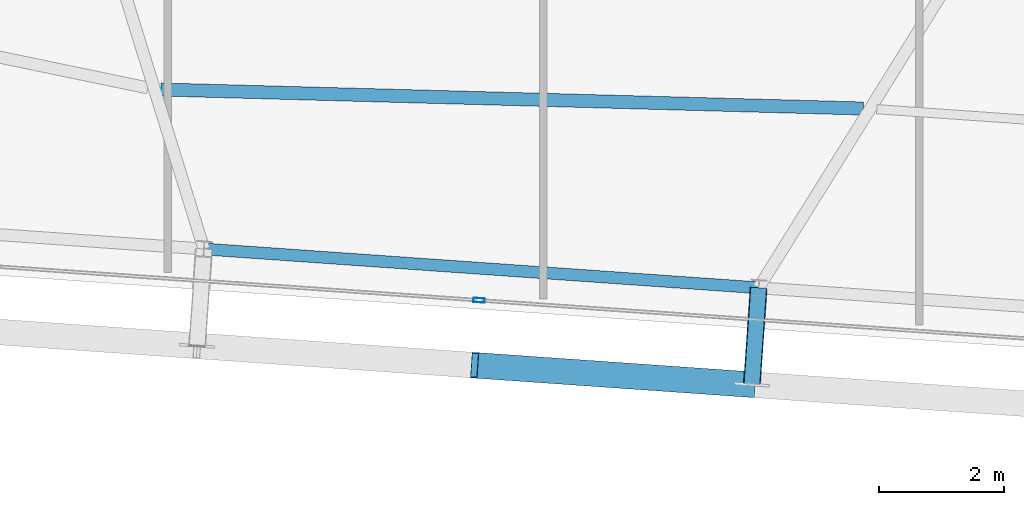
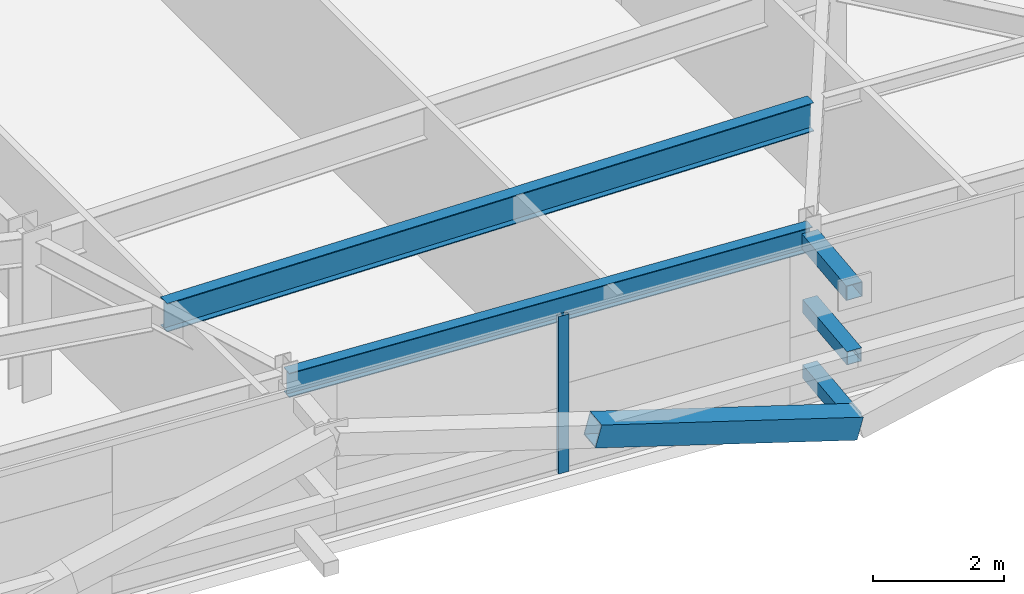
# One storey, part 9 of 39: 5 members, 2 beams, 1 element without a shape of its own.
"""IFC4 building model written with IfcOpenShell, lengths in metres."""

import ifcopenshell
import ifcopenshell.guid

model = None  # the IFC model being written
_history = None  # IfcOwnerHistory: only IFC2X3 demands one
_inside = {}  # id of a spatial element -> (the spatial element, [elements in it])
_under = {}  # id of a project, library or spatial element -> (it, [spatial elements below it])
_declared = {}  # id of a project -> (the project, [libraries it declares])
_typed = {}  # id of a type object -> (the type object, [elements of that type])
_made_of = {}  # id of a material, layer set ... -> (it, [elements and type objects made of it])


def new_model(schema):
    """Start an empty IFC model of exactly this schema.

    Asked for "IFC4X3", IfcOpenShell would pick the latest addendum, in which some entities
    have other attributes; the version numbers below select the first issue.
    IFC2X3 requires an IfcOwnerHistory on every rooted entity: one is made here for all.
    """
    global model, _history
    if schema == "IFC4X3":
        model = ifcopenshell.file(schema_version=(4, 3, 0, 0))
    else:
        model = ifcopenshell.file(schema=schema)
    _inside.clear()
    _under.clear()
    _declared.clear()
    _typed.clear()
    _made_of.clear()
    _history = None
    if model.schema == "IFC2X3":
        org = make("IfcOrganization", Name="unknown")
        user = make(
            "IfcPersonAndOrganization",
            ThePerson=make("IfcPerson", FamilyName="unknown"),
            TheOrganization=org,
        )
        app = make(
            "IfcApplication",
            ApplicationDeveloper=org,
            Version="unknown",
            ApplicationFullName="unknown",
            ApplicationIdentifier="unknown",
        )
        _history = make(
            "IfcOwnerHistory",
            OwningUser=user,
            OwningApplication=app,
            ChangeAction="ADDED",
            CreationDate=0,
        )
    return model


def make(cls, **values):
    """One entity of the class cls with the attributes given. An attribute that is None is left unset."""
    return model.create_entity(
        cls, **{name: value for name, value in values.items() if value is not None}
    )


def rooted(cls, **values):
    """An entity with a GlobalId (a new one), such as an element, a storey or a relation."""
    return make(cls, GlobalId=ifcopenshell.guid.new(), OwnerHistory=_history, **values)


def si_unit(unit_type, name, prefix=None):
    """IfcSIUnit, for example si_unit("LENGTHUNIT", "METRE", prefix="MILLI")."""
    return make("IfcSIUnit", UnitType=unit_type, Prefix=prefix, Name=name)


def assignment(units):
    """IfcUnitAssignment: the units of a project."""
    return None if units is None else make("IfcUnitAssignment", Units=units)


def point(xyz):
    """IfcCartesianPoint."""
    return None if xyz is None else make("IfcCartesianPoint", Coordinates=xyz)


def direction(xyz):
    """IfcDirection."""
    return None if xyz is None else make("IfcDirection", DirectionRatios=xyz)


def frame(location, z_axis=None, x_axis=None):
    """IfcAxis2Placement3D, a coordinate frame: its origin and axes. An axis left out is left unset."""
    return make(
        "IfcAxis2Placement3D",
        Location=point(location),
        Axis=direction(z_axis),
        RefDirection=direction(x_axis),
    )


def frame_2d(location, x_axis=None):
    """IfcAxis2Placement2D, a coordinate frame in the plane: its origin and x axis."""
    return make(
        "IfcAxis2Placement2D", Location=point(location), RefDirection=direction(x_axis)
    )


def origin():
    """The frame at (0, 0, 0) with its axes left unset."""
    return frame((0.0, 0.0, 0.0))


def origin_2d():
    """The frame at (0, 0) in the plane with its x axis left unset."""
    return frame_2d((0.0, 0.0))


def place(relative_to, where):
    """IfcLocalPlacement: puts the frame where relative to a parent placement (None: the world)."""
    return make(
        "IfcLocalPlacement", PlacementRelTo=relative_to, RelativePlacement=where
    )


def context(
    kind, dimensions, precision=None, world=None, true_north=None, identifier=None
):
    """IfcGeometricRepresentationContext, for example the 3D "Model" context."""
    return make(
        "IfcGeometricRepresentationContext",
        ContextIdentifier=identifier,
        ContextType=kind,
        CoordinateSpaceDimension=dimensions,
        Precision=precision,
        WorldCoordinateSystem=world,
        TrueNorth=true_north,
    )


def subcontext(parent, identifier, kind, view, scale=None):
    """IfcGeometricRepresentationSubContext, for example "Body" below "Model"."""
    return make(
        "IfcGeometricRepresentationSubContext",
        ContextIdentifier=identifier,
        ContextType=kind,
        ParentContext=parent,
        TargetScale=scale,
        TargetView=view,
    )


def project(units=None, contexts=None):
    """IfcProject with its units and contexts."""
    return rooted(
        "IfcProject",
        Name="project",
        RepresentationContexts=contexts,
        UnitsInContext=assignment(units),
    )


def spatial(cls, under=None, at=None, **own):
    """A site, building, storey or space (cls), placed at a placement, below another one or the project."""
    s = rooted(cls, ObjectPlacement=at, **own)
    if under is not None:
        _under.setdefault(under.id(), (under, []))[1].append(s)
    return s


def profile(cls, at=None, kind="AREA", **sizes):
    """A parametric profile (cls). Its sizes go by their IFC names, for example OverallWidth=200.0."""
    return make(cls, ProfileType=kind, Position=at, **sizes)


def hollow_rectangle(**sizes):
    """IfcRectangleHollowProfileDef."""
    return profile("IfcRectangleHollowProfileDef", **sizes)


def i_section(**sizes):
    """IfcIShapeProfileDef."""
    return profile("IfcIShapeProfileDef", **sizes)


def extrude(swept, where, along, depth):
    """IfcExtrudedAreaSolid: the profile swept, set in the frame where, extruded along a direction by depth."""
    return make(
        "IfcExtrudedAreaSolid",
        SweptArea=swept,
        Position=where,
        ExtrudedDirection=direction(along),
        Depth=depth,
    )


def shape(context_of_items, identifier, shape_type, items):
    """IfcShapeRepresentation: the items that make up one representation, for example the "Body"."""
    return make(
        "IfcShapeRepresentation",
        ContextOfItems=context_of_items,
        RepresentationIdentifier=identifier,
        RepresentationType=shape_type,
        Items=items,
    )


def source(mapping_origin, context_of_items, identifier, shape_type, items):
    """IfcRepresentationMap: a shape defined once, which mapped items show again and again."""
    return make(
        "IfcRepresentationMap",
        MappingOrigin=mapping_origin,
        MappedRepresentation=shape(context_of_items, identifier, shape_type, items),
    )


def transform(
    local_origin,
    x_axis=None,
    y_axis=None,
    z_axis=None,
    scale=None,
    scale2=None,
    scale3=None,
    uniform=True,
):
    """IfcCartesianTransformationOperator3D, or its non-uniform kind. x_axis, y_axis, z_axis: its Axis1, 2, 3."""
    if uniform:
        return make(
            "IfcCartesianTransformationOperator3D",
            Axis1=direction(x_axis),
            Axis2=direction(y_axis),
            LocalOrigin=point(local_origin),
            Scale=scale,
            Axis3=direction(z_axis),
        )
    return make(
        "IfcCartesianTransformationOperator3DnonUniform",
        Axis1=direction(x_axis),
        Axis2=direction(y_axis),
        LocalOrigin=point(local_origin),
        Scale=scale,
        Axis3=direction(z_axis),
        Scale2=scale2,
        Scale3=scale3,
    )


def mapped(mapping_source, mapping_target):
    """IfcMappedItem: shows the shape of a source again, moved by a transform."""
    return make(
        "IfcMappedItem", MappingSource=mapping_source, MappingTarget=mapping_target
    )


def material(Name=None, Category=None):
    """IfcMaterial."""
    return make("IfcMaterial", Name=Name, Category=Category)


def layer(
    of_material, thickness, ventilated=None, Name=None, Category=None, Priority=None
):
    """IfcMaterialLayer: one layer of a wall or slab, of a material (None: an air gap)."""
    return make(
        "IfcMaterialLayer",
        Material=of_material,
        LayerThickness=thickness,
        IsVentilated=ventilated,
        Name=Name,
        Category=Category,
        Priority=Priority,
    )


def layer_set(layers, Name=None):
    """IfcMaterialLayerSet."""
    return make("IfcMaterialLayerSet", MaterialLayers=layers, LayerSetName=Name)


def material_profile(
    of_material, cross_section, Name=None, Category=None, Priority=None
):
    """IfcMaterialProfile: a cross section and its material."""
    return make(
        "IfcMaterialProfile",
        Name=Name,
        Material=of_material,
        Profile=cross_section,
        Priority=Priority,
        Category=Category,
    )


def profile_set(profiles, Name=None, composite=None):
    """IfcMaterialProfileSet."""
    return make(
        "IfcMaterialProfileSet",
        Name=Name,
        MaterialProfiles=profiles,
        CompositeProfile=composite,
    )


def made_of(thing, what):
    """Note that an element or type object is made of a material, layer set ...; save() writes the relation."""
    if what is not None:
        _made_of.setdefault(what.id(), (what, []))[1].append(thing)
    return thing


def type_object(cls, material=None, **own):
    """A type object (cls), such as IfcWallType, which elements share."""
    return made_of(rooted(cls, **own), material)


def element(
    cls,
    number,
    at=None,
    inside=None,
    cuts=None,
    type_object=None,
    material=None,
    context=None,
    identifier="Body",
    shape_type=None,
    held_by="IfcProductDefinitionShape",
    body=None,
    shapes=None,
    **own,
):
    """One element of the class cls, such as IfcWall. Its Tag is "e" and its number.

    at: its placement. inside: the storey or other place that contains it. cuts: it is an
    opening in that element (IfcRelVoidsElement). A single representation is given by context,
    identifier, shape_type and body (its items); several are given by shapes. held_by: the class
    of the entity that holds the representations. save() writes the other relations.
    """
    e = rooted(cls, Tag="e%d" % number, ObjectPlacement=at, **own)
    if body is not None:
        shapes = [shape(context, identifier, shape_type, body)]
    if shapes is not None:
        e.Representation = make(held_by, Representations=shapes)
    if inside is not None:
        _inside.setdefault(inside.id(), (inside, []))[1].append(e)
    if cuts is not None:
        rooted(
            "IfcRelVoidsElement", RelatingBuildingElement=cuts, RelatedOpeningElement=e
        )
    if type_object is not None:
        _typed.setdefault(type_object.id(), (type_object, []))[1].append(e)
    return made_of(e, material)


def aggregate(whole, parts):
    """IfcRelAggregates: a whole, such as a stair, and the parts it consists of."""
    return rooted("IfcRelAggregates", RelatingObject=whole, RelatedObjects=parts)


def save(model, path):
    """Write the relations noted so far, then the file.

    IfcRelAggregates (storeys below a building ...), IfcRelContainedInSpatialStructure (elements
    in a storey), IfcRelDefinesByType, IfcRelAssociatesMaterial and IfcRelDeclares: one each for
    every whole, place, type object, material and project.
    """
    for whole, parts in _under.values():
        aggregate(whole, parts)
    for where, things in _inside.values():
        rooted(
            "IfcRelContainedInSpatialStructure",
            RelatedElements=things,
            RelatingStructure=where,
        )
    for kind, things in _typed.values():
        rooted("IfcRelDefinesByType", RelatedObjects=things, RelatingType=kind)
    for what, things in _made_of.values():
        rooted("IfcRelAssociatesMaterial", RelatedObjects=things, RelatingMaterial=what)
    for by, libraries in _declared.values():
        rooted("IfcRelDeclares", RelatingContext=by, RelatedDefinitions=libraries)
    model.write(path)


model = new_model("IFC4")

# Units and contexts
model_context = context("Model", 3, precision=1e-05, world=origin(), true_north=direction((0.0, 1.0)))
body_context = subcontext(model_context, "Body", "Model", "MODEL_VIEW")
ifc_project = project(units=[si_unit("LENGTHUNIT", "METRE"), si_unit("AREAUNIT", "SQUARE_METRE"), si_unit("VOLUMEUNIT", "CUBIC_METRE"), si_unit("PLANEANGLEUNIT", "RADIAN"), si_unit("MASSUNIT", "GRAM", prefix="KILO")], contexts=[model_context])

# Site, building, storey
site_placement = place(None, origin())
site = spatial("IfcSite", under=ifc_project, at=site_placement, CompositionType="ELEMENT")
building_placement = place(site_placement, origin())
building = spatial("IfcBuilding", under=site, at=building_placement, Name="Taldren Reach Tower", CompositionType="ELEMENT")
storey_placement = place(building_placement, frame((0.0, 0.0, 123.550048828125)))
storey = spatial("IfcBuildingStorey", under=building, at=storey_placement, Name="L37", CompositionType="ELEMENT", Elevation=123.550048828125)

# Members
ifc_material_1 = material(Name="Steel Gr 450 (C450L0)", Category="steel")
ifc_material_profile_1 = material_profile(ifc_material_1, hollow_rectangle(XDim=0.27490234375, YDim=0.27490234375, WallThickness=0.00927734375, at=origin_2d()), Name="275x275x9.3SHS")
ifc_profile_set_1 = profile_set([ifc_material_profile_1], Name="Steel Gr 450 (C450L0)")
member_type_1 = type_object("IfcMemberType", Name="MB-TIE273", PredefinedType="STRUT", material=ifc_profile_set_1)
shared_shape_1 = source(origin(), body_context, "Body", "SweptSolid", [
    extrude(hollow_rectangle(XDim=0.27490234375, YDim=0.27490234375, WallThickness=0.00927734375, at=origin_2d()), origin(), (0.0, 0.0, 1.0), 1.550048828125),
])
member_1_placement = place(storey_placement, frame((38.438720703125, 3.480224609375, 2.64990234375), z_axis=(-0.06976957191, -0.99756313426, 0.0), x_axis=(0.99756313426, -0.06976957191, 0.0)))
element("IfcMember", 1, at=member_1_placement, inside=storey, type_object=member_type_1, Name="Exoskeleton diaphragm tie strut B3-S4 L37", PredefinedType="STRUT", context=body_context, shape_type="MappedRepresentation", body=[
    mapped(shared_shape_1, transform((0.0, 0.0, 0.0), scale=1.0)),
])
ifc_material_2 = material(Name="Steel Gr 350 (C350L0)", Category="steel")
ifc_material_profile_2 = material_profile(ifc_material_2, hollow_rectangle(XDim=0.25, YDim=0.25, WallThickness=0.010009765625, at=origin_2d()), Name="250x250x10.0SHS")
ifc_profile_set_2 = profile_set([ifc_material_profile_2], Name="Steel Gr 350 (C350L0)")
member_type_2 = type_object("IfcMemberType", Name="MB-POST250", PredefinedType="POST", material=ifc_profile_set_2)
shared_shape_2 = source(origin(), body_context, "Body", "SweptSolid", [
    extrude(hollow_rectangle(XDim=0.25, YDim=0.25, WallThickness=0.010009765625, at=origin_2d()), origin(), (0.0, 0.0, 1.0), 1.550048828125),
])
for number, where, z_axis, x_axis, name in (
    (2, (38.438720703125, 3.480224609375, 0.219970703125), (-0.06976957191, -0.99756313426, 0.0), (0.99756313426, -0.06976957191, 0.0), "Exoskeleton base diaphragm tie strut B3-S4 L37"),
    (3, (38.438720703125, 3.480224609375, 1.43505859375), (-0.06976957191, -0.99756313426, 0.0), (0.99756313426, -0.06976957191, 0.0), "Exoskeleton mid-tier diaphragm tie B3-S4 L37"),
):
    element("IfcMember", number, at=place(storey_placement, frame(where, z_axis=z_axis, x_axis=x_axis)), inside=storey, type_object=member_type_2, Name=name, PredefinedType="POST", context=body_context, shape_type="MappedRepresentation", body=[
        mapped(shared_shape_2, transform((0.0, 0.0, 0.0), scale=1.0)),
    ])

# Beams
ifc_material_3 = material(Name="Steel Gr 350 (350PLUS)", Category="steel")
ifc_material_profile_3 = material_profile(ifc_material_3, i_section(OverallWidth=0.18994140625, OverallDepth=0.4541015625, WebThickness=0.008544921875, FlangeThickness=0.0126953125, at=origin_2d()), Name="460UB67.1")
ifc_profile_set_3 = profile_set([ifc_material_profile_3], Name="Steel Gr 350 (350PLUS)")
beam_type_1 = type_object("IfcBeamType", Name="SP-UB460B", PredefinedType="SPANDREL", material=ifc_profile_set_3)
shared_shape_3 = source(origin(), body_context, "Body", "SweptSolid", [
    extrude(i_section(OverallWidth=0.18994140625, OverallDepth=0.4541015625, WebThickness=0.008544921875, FlangeThickness=0.0126953125, at=origin_2d()), origin(), (0.0, 0.0, 1.0), 8.880126953125),
])
beam_1_placement = place(storey_placement, frame((29.580322265625, 4.099609375, 2.702880859375), z_axis=(0.997564479639, -0.069750333063, 0.0), x_axis=(0.069750333063, 0.997564479639, 0.0)))
element("IfcBeam", 4, at=beam_1_placement, inside=storey, type_object=beam_type_1, Name="Perimeter spandrel B3 S3-S4 L37", PredefinedType="SPANDREL", context=body_context, shape_type="MappedRepresentation", body=[
    mapped(shared_shape_3, transform((0.0, 0.0, 0.0), scale=1.0)),
])
ifc_material_profile_4 = material_profile(ifc_material_3, i_section(OverallWidth=0.208984375, OverallDepth=0.532958984375, WebThickness=0.01025390625, FlangeThickness=0.015625, at=origin_2d()), Name="530UB92.4")
ifc_profile_set_4 = profile_set([ifc_material_profile_4], Name="Steel Gr 350 (350PLUS)")
beam_type_2 = type_object("IfcBeamType", Name="BM-UB530A", PredefinedType="BEAM", material=ifc_profile_set_4)
shared_shape_4 = source(origin(), body_context, "Body", "SweptSolid", [
    extrude(i_section(OverallWidth=0.208984375, OverallDepth=0.532958984375, WebThickness=0.01025390625, FlangeThickness=0.015625, at=origin_2d()), origin(), (0.0, 0.0, 1.0), 11.221923828125),
])
beam_2_placement = place(storey_placement, frame((28.890869140625, 6.64697265625, 2.663330078125), z_axis=(0.999633109536, -0.027085906272, 0.0), x_axis=(0.027085906272, 0.999633109536, 0.0)))
element("IfcBeam", 5, at=beam_2_placement, inside=storey, type_object=beam_type_2, Name="Secondary floor beam B3 J3 L37", PredefinedType="BEAM", context=body_context, shape_type="MappedRepresentation", body=[
    mapped(shared_shape_4, transform((0.0, 0.0, 0.0), scale=1.0)),
])

# Member
ifc_material_profile_5 = material_profile(ifc_material_1, hollow_rectangle(XDim=0.409912109375, YDim=0.409912109375, WallThickness=0.01611328125, at=origin_2d()), Name="410x410x16.0SHS")
ifc_profile_set_5 = profile_set([ifc_material_profile_5], Name="Steel Gr 450 (C450L0)")
member_type_3 = type_object("IfcMemberType", Name="MB-EXO406", PredefinedType="BRACE", material=ifc_profile_set_5)
shared_shape_5 = source(origin(), body_context, "Body", "SweptSolid", [
    extrude(hollow_rectangle(XDim=0.409912109375, YDim=0.409912109375, WallThickness=0.01611328125, at=origin_2d()), origin(), (0.0, 0.0, 1.0), 4.603271484375),
])
member_2_placement = place(storey_placement, frame((38.33056640625, 1.933837890625, 0.219970703125), z_axis=(-0.962182351074, 0.067302910567, 0.263961060594), x_axis=(-0.06977769246, -0.997562566276, 0.0)))
element("IfcMember", 6, at=member_2_placement, inside=storey, type_object=member_type_3, Name="Exoskeleton Diagrid Brace B3-S3 L37", PredefinedType="BRACE", context=body_context, shape_type="MappedRepresentation", body=[
    mapped(shared_shape_5, transform((0.0, 0.0, 0.0), scale=1.0)),
])

# Curtain wall, member
ifc_material_4 = material(Name="Aluminium and Low-E Glass Unitised System", Category="aluminium")
ifc_layer = layer(ifc_material_4, 0.159912109375)
ifc_layer_set = layer_set([ifc_layer], Name="Aluminium and Low-E Glass Unitised System")
curtain_wall_type = type_object("IfcCurtainWallType", Name="CW-SYS-4", PredefinedType="NOTDEFINED", material=ifc_layer_set)
curtain_wall_placement = place(storey_placement, origin())
curtain_wall = element("IfcCurtainWall", 7, at=curtain_wall_placement, inside=storey, type_object=curtain_wall_type, Name="Unitised curtain wall CW-L37-S", PredefinedType="NOTDEFINED")
ifc_material_5 = material(Name="Anodised Aluminium 6063-T6", Category="aluminium")
ifc_material_profile_6 = material_profile(ifc_material_5, hollow_rectangle(XDim=0.070068359375, YDim=0.179931640625, WallThickness=0.00390625, at=origin_2d()), Name="ALU-180x70x4RHS")
ifc_profile_set_6 = profile_set([ifc_material_profile_6], Name="Anodised Aluminium 6063-T6")
member_type_4 = type_object("IfcMemberType", Name="CW-MUL-180", PredefinedType="MULLION", material=ifc_profile_set_6)
shared_shape_6 = source(origin(), body_context, "Body", "SweptSolid", [
    extrude(hollow_rectangle(XDim=0.070068359375, YDim=0.179931640625, WallThickness=0.00390625, at=origin_2d()), origin(), (0.0, 0.0, 1.0), 2.929931640625),
])
member_3_placement = place(storey_placement, frame((33.973876953125, 3.281005859375, 0.0), z_axis=(0.0, 0.0, 1.0), x_axis=(0.06975651593, 0.99756404731, 0.0)))
member_3 = element("IfcMember", 8, at=member_3_placement, type_object=member_type_4, Name="CW-4 mullion 3", PredefinedType="MULLION", context=body_context, shape_type="MappedRepresentation", body=[
    mapped(shared_shape_6, transform((0.0, 0.0, 0.0), scale=1.0)),
])
aggregate(curtain_wall, [member_3])

save(model, "model.ifc")
